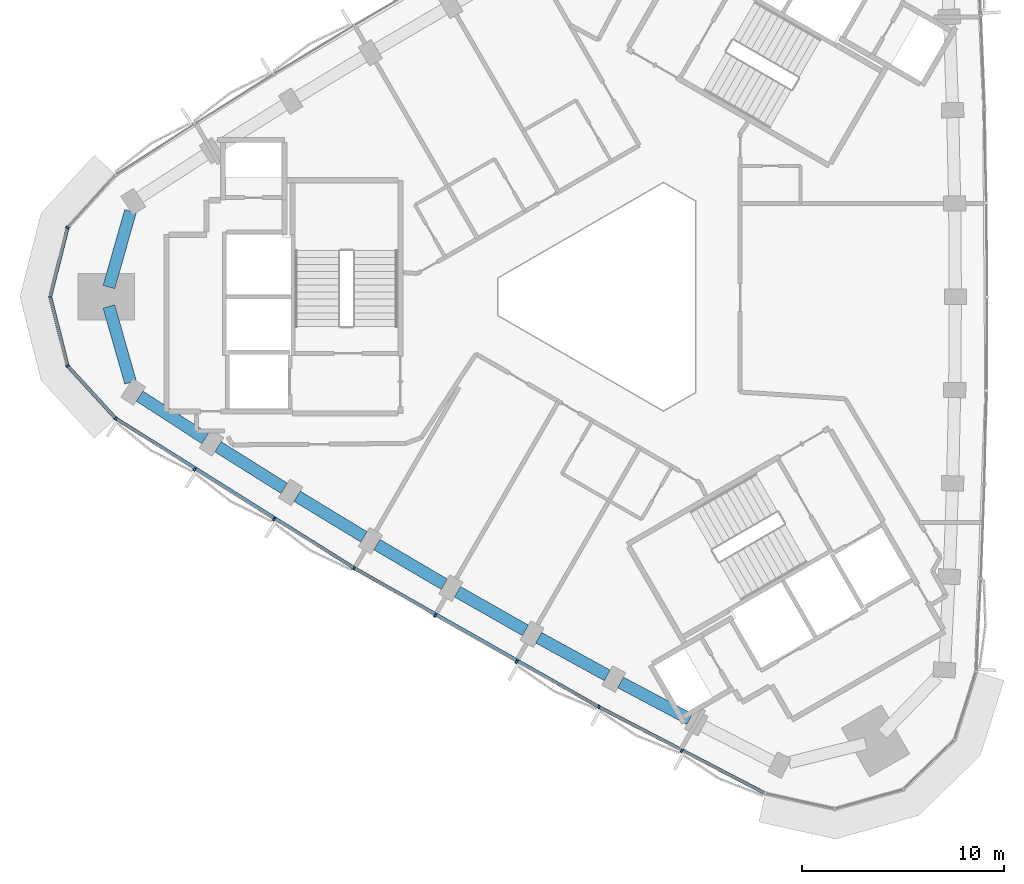
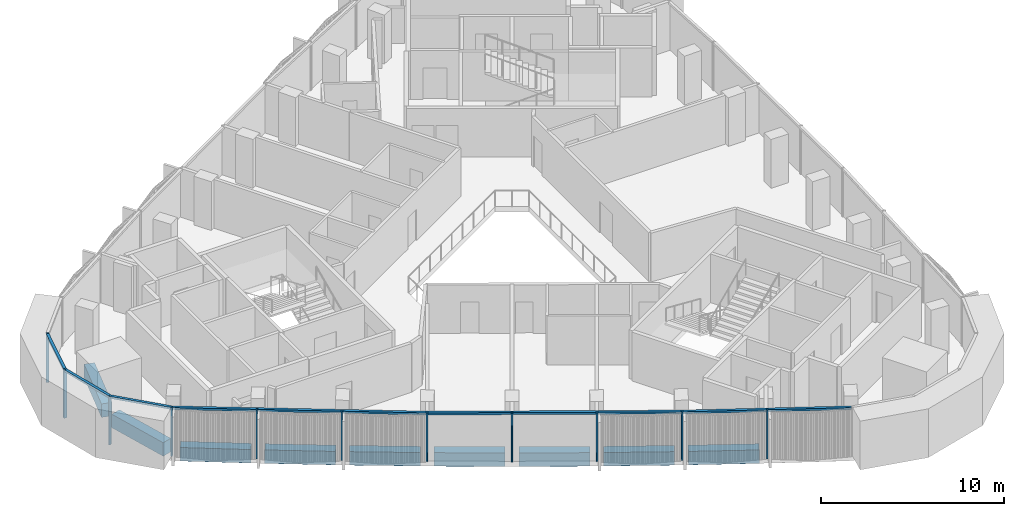
# One storey, part 2 of 14: 17 members, 9 beams, 2 elements without a shape of their own.
"""IFC4 building model written with IfcOpenShell, lengths in metres."""

from ifc_helpers import new_model, si_unit, direction, frame, origin, origin_2d, place, context, subcontext, project, spatial, rectangle, extrude, material, material_profile, profile_set, type_object, element, aggregate, save


model = new_model("IFC4")

# Units and contexts
model_context = context("Model", 3, precision=1e-05, world=origin(), true_north=direction((0.0, 1.0)))
body_context = subcontext(model_context, "Body", "Model", "MODEL_VIEW")
ifc_project = project(units=[si_unit("LENGTHUNIT", "METRE"), si_unit("AREAUNIT", "SQUARE_METRE"), si_unit("VOLUMEUNIT", "CUBIC_METRE"), si_unit("PLANEANGLEUNIT", "RADIAN"), si_unit("MASSUNIT", "GRAM", prefix="KILO")], contexts=[model_context])

# Site, building, storey
site_placement = place(None, origin())
site = spatial("IfcSite", under=ifc_project, at=site_placement, CompositionType="ELEMENT")
building_placement = place(site_placement, origin())
building = spatial("IfcBuilding", under=site, at=building_placement, Name="Tamra Quay Hotel Tower", CompositionType="ELEMENT")
storey_placement = place(building_placement, frame((0.0, 0.0, 228.60009765625)))
storey = spatial("IfcBuildingStorey", under=building, at=storey_placement, Name="L57", CompositionType="ELEMENT", Elevation=228.60009765625)

# Curtain wall, members
ifc_material_1 = material(Name="Aluminium 6063 anodised dark grey", Category="aluminium")
curtain_wall_type_1 = type_object("IfcCurtainWallType", Name="CW2 CURTAIN WALL", PredefinedType="NOTDEFINED", material=ifc_material_1)
curtain_wall_1_placement = place(storey_placement, origin())
curtain_wall_1 = element("IfcCurtainWall", 1, at=curtain_wall_1_placement, inside=storey, type_object=curtain_wall_type_1, Name="CW2 north-west face L57", PredefinedType="NOTDEFINED")
ifc_material_profile_1 = material_profile(ifc_material_1, rectangle(XDim=0.169921875, YDim=0.10009765625, at=origin_2d()), Name="MULLION 100X170")
ifc_profile_set_1 = profile_set([ifc_material_profile_1], Name="Aluminium 6063 anodised dark grey")
member_type_1 = type_object("IfcMemberType", Name="MULLION CW2 Z5", PredefinedType="MULLION", material=ifc_profile_set_1)
member_1_placement = place(storey_placement, frame((-27.329345703125, 3.427734375, 0.0), z_axis=(0.0, 0.0, 1.0), x_axis=(-0.880266804781, 0.474479032624, 0.0)))
member_1 = element("IfcMember", 2, at=member_1_placement, type_object=member_type_1, Name="CW2 mullion L57.NW.10", PredefinedType="MULLION", context=body_context, shape_type="SweptSolid", body=[
    extrude(rectangle(XDim=0.169921875, YDim=0.10009765625, at=origin_2d()), origin(), (0.0, 0.0, 1.0), 3.25),
])
member_2_placement = place(storey_placement, frame((-28.1943359375, 0.0, 0.0), z_axis=(0.0, 0.0, 1.0), x_axis=(-1.0, 0.0, 0.0)))
member_2 = element("IfcMember", 3, at=member_2_placement, type_object=member_type_1, Name="CW2 mullion L57.NW.11", PredefinedType="MULLION", context=body_context, shape_type="SweptSolid", body=[
    extrude(rectangle(XDim=0.169921875, YDim=0.10009765625, at=origin_2d()), origin(), (0.0, 0.0, 1.0), 3.25),
])
member_3_placement = place(storey_placement, frame((-27.329345703125, -3.427734375, 0.0), z_axis=(0.0, 0.0, 1.0), x_axis=(-0.880266804781, -0.474479032624, 0.0)))
member_3 = element("IfcMember", 4, at=member_3_placement, type_object=member_type_1, Name="CW2 mullion L57.NW.12", PredefinedType="MULLION", context=body_context, shape_type="SweptSolid", body=[
    extrude(rectangle(XDim=0.169921875, YDim=0.10009765625, at=origin_2d()), origin(), (0.0, 0.0, 1.0), 3.25),
])

curtain_wall_type_2 = type_object("IfcCurtainWallType", Name="CW3 CURTAIN WALL", PredefinedType="NOTDEFINED", material=ifc_material_1)
curtain_wall_2_placement = place(storey_placement, origin())
curtain_wall_2 = element("IfcCurtainWall", 5, at=curtain_wall_2_placement, inside=storey, type_object=curtain_wall_type_2, Name="CW3 south-west face L57", PredefinedType="NOTDEFINED")
ifc_material_profile_2 = material_profile(ifc_material_1, rectangle(XDim=0.169921875, YDim=0.10009765625, at=origin_2d()), Name="MULLION 100X170")
ifc_profile_set_2 = profile_set([ifc_material_profile_2], Name="Aluminium 6063 anodised dark grey")
member_type_2 = type_object("IfcMemberType", Name="MULLION CW3 Z5", PredefinedType="MULLION", material=ifc_profile_set_2)
member_4_placement = place(storey_placement, frame((-24.941650390625, -6.034423828125, 0.0), z_axis=(0.0, 0.0, 1.0), x_axis=(-0.645846473255, -0.763467309702, 0.0)))
member_4 = element("IfcMember", 6, at=member_4_placement, type_object=member_type_2, Name="CW3 mullion L57.SW.1", PredefinedType="MULLION", context=body_context, shape_type="SweptSolid", body=[
    extrude(rectangle(XDim=0.169921875, YDim=0.10009765625, at=origin_2d()), origin(), (0.0, 0.0, 1.0), 3.25),
])
member_5_placement = place(storey_placement, frame((-21.041015625, -8.5625, 0.0), z_axis=(0.0, 0.0, 1.0), x_axis=(-0.537684349575, -0.84314621521, 0.0)))
member_5 = element("IfcMember", 7, at=member_5_placement, type_object=member_type_2, Name="CW3 mullion L57.SW.2", PredefinedType="MULLION", context=body_context, shape_type="SweptSolid", body=[
    extrude(rectangle(XDim=0.169921875, YDim=0.10009765625, at=origin_2d()), origin(), (0.0, 0.0, 1.0), 3.25),
])
member_6_placement = place(storey_placement, frame((-17.103271484375, -11.033203125, 0.0), z_axis=(0.0, 0.0, 1.0), x_axis=(-0.525248894611, -0.850948646341, 0.0)))
member_6 = element("IfcMember", 8, at=member_6_placement, type_object=member_type_2, Name="CW3 mullion L57.SW.3", PredefinedType="MULLION", context=body_context, shape_type="SweptSolid", body=[
    extrude(rectangle(XDim=0.169921875, YDim=0.10009765625, at=origin_2d()), origin(), (0.0, 0.0, 1.0), 3.25),
])
member_7_placement = place(storey_placement, frame((-13.13037109375, -13.4453125, 0.0), z_axis=(0.0, 0.0, 1.0), x_axis=(-0.512687492758, -0.858575293594, 0.0)))
member_7 = element("IfcMember", 9, at=member_7_placement, type_object=member_type_2, Name="CW3 mullion L57.SW.4", PredefinedType="MULLION", context=body_context, shape_type="SweptSolid", body=[
    extrude(rectangle(XDim=0.169921875, YDim=0.10009765625, at=origin_2d()), origin(), (0.0, 0.0, 1.0), 3.25),
])
member_8_placement = place(storey_placement, frame((-9.12158203125, -15.79931640625, 0.0), z_axis=(0.0, 0.0, 1.0), x_axis=(-0.5, -0.866025403784, 0.0)))
member_8 = element("IfcMember", 10, at=member_8_placement, type_object=member_type_2, Name="CW3 mullion L57.SW.5", PredefinedType="MULLION", context=body_context, shape_type="SweptSolid", body=[
    extrude(rectangle(XDim=0.169921875, YDim=0.10009765625, at=origin_2d()), origin(), (0.0, 0.0, 1.0), 3.25),
])
member_9_placement = place(storey_placement, frame((-5.078857421875, -18.093994140625, 0.0), z_axis=(0.0, 0.0, 1.0), x_axis=(-0.487204268935, -0.873288039728, 0.0)))
member_9 = element("IfcMember", 11, at=member_9_placement, type_object=member_type_2, Name="CW3 mullion L57.SW.6", PredefinedType="MULLION", context=body_context, shape_type="SweptSolid", body=[
    extrude(rectangle(XDim=0.169921875, YDim=0.10009765625, at=origin_2d()), origin(), (0.0, 0.0, 1.0), 3.25),
])
member_10_placement = place(storey_placement, frame((-1.00341796875, -20.328369140625, 0.0), z_axis=(0.0, 0.0, 1.0), x_axis=(-0.474318697742, -0.880353209213, 0.0)))
member_10 = element("IfcMember", 12, at=member_10_placement, type_object=member_type_2, Name="CW3 mullion L57.SW.7", PredefinedType="MULLION", context=body_context, shape_type="SweptSolid", body=[
    extrude(rectangle(XDim=0.169921875, YDim=0.10009765625, at=origin_2d()), origin(), (0.0, 0.0, 1.0), 3.25),
])
member_11_placement = place(storey_placement, frame((3.105224609375, -22.503173828125, 0.0), z_axis=(0.0, 0.0, 1.0), x_axis=(-0.461343866689, -0.887221413554, 0.0)))
member_11 = element("IfcMember", 13, at=member_11_placement, type_object=member_type_2, Name="CW3 mullion L57.SW.8", PredefinedType="MULLION", context=body_context, shape_type="SweptSolid", body=[
    extrude(rectangle(XDim=0.169921875, YDim=0.10009765625, at=origin_2d()), origin(), (0.0, 0.0, 1.0), 3.25),
])

# Beams
ifc_material_2 = material(Name="Concrete M60", Category="concrete")
ifc_material_profile_3 = material_profile(ifc_material_2, rectangle(XDim=0.60009765625, YDim=0.89990234375, at=origin_2d()), Name="SPANDREL BEAM RC 600x900")
ifc_profile_set_3 = profile_set([ifc_material_profile_3], Name="Concrete M60")
beam_type = type_object("IfcBeamType", Name="SPANDREL BEAM RC 600x900", PredefinedType="SPANDREL", material=ifc_profile_set_3)
for number, where, z_axis, x_axis, name in (
    (14, (-24.2119140625, 4.24365234375, -0.800048828125), (-0.273913429616, -0.961754351732, 0.0), (0.961754351732, -0.273913429616, 0.0), "BM-SP5-018-L57"),
    (15, (-25.28369140625, -0.48046875, -0.800048828125), (0.273913429616, -0.961754351732, 0.0), (0.961754351732, 0.273913429616, 0.0), "BM-SP5-019-L57"),
):
    element("IfcBeam", number, at=place(storey_placement, frame(where, z_axis=z_axis, x_axis=x_axis)), inside=storey, type_object=beam_type, Name=name, PredefinedType="SPANDREL", context=body_context, shape_type="SweptSolid", body=[
        extrude(rectangle(XDim=0.60009765625, YDim=0.89990234375, at=origin_2d()), origin(), (0.0, 0.0, 1.0), 3.912841796875),
    ])
beam_1_placement = place(storey_placement, frame((-23.76171875, -4.923583984375, -0.800048828125), z_axis=(0.839181205466, -0.543851914029, 0.0), x_axis=(0.543851914029, 0.839181205466, 0.0)))
element("IfcBeam", 16, at=beam_1_placement, inside=storey, type_object=beam_type, Name="BM-SP5-020-L57", PredefinedType="SPANDREL", context=body_context, shape_type="SweptSolid", body=[
    extrude(rectangle(XDim=0.60009765625, YDim=0.89990234375, at=origin_2d()), origin(), (0.0, 0.0, 1.0), 3.87548828125),
])
beam_2_placement = place(storey_placement, frame((-19.877197265625, -7.4345703125, -0.800048828125), z_axis=(0.847066119134, -0.53148752555, 0.0), x_axis=(0.53148752555, 0.847066119134, 0.0)))
element("IfcBeam", 17, at=beam_2_placement, inside=storey, type_object=beam_type, Name="BM-SP5-021-L57", PredefinedType="SPANDREL", context=body_context, shape_type="SweptSolid", body=[
    extrude(rectangle(XDim=0.60009765625, YDim=0.89990234375, at=origin_2d()), origin(), (0.0, 0.0, 1.0), 3.875),
])
beam_3_placement = place(storey_placement, frame((-15.95654296875, -9.887939453125, -0.800048828125), z_axis=(0.854785519234, -0.518981421737, 0.0), x_axis=(0.518981421737, 0.854785519234, 0.0)))
element("IfcBeam", 18, at=beam_3_placement, inside=storey, type_object=beam_type, Name="BM-SP5-022-L57", PredefinedType="SPANDREL", context=body_context, shape_type="SweptSolid", body=[
    extrude(rectangle(XDim=0.60009765625, YDim=0.89990234375, at=origin_2d()), origin(), (0.0, 0.0, 1.0), 3.875732421875),
])
beam_4_placement = place(storey_placement, frame((-11.999755859375, -12.283935546875, -0.800048828125), z_axis=(0.862324287816, -0.506356418585, 0.0), x_axis=(0.506356418585, 0.862324287816, 0.0)))
element("IfcBeam", 19, at=beam_4_placement, inside=storey, type_object=beam_type, Name="BM-SP5-023-L57", PredefinedType="SPANDREL", context=body_context, shape_type="SweptSolid", body=[
    extrude(rectangle(XDim=0.60009765625, YDim=0.89990234375, at=origin_2d()), origin(), (0.0, 0.0, 1.0), 3.875),
])
beam_5_placement = place(storey_placement, frame((-8.008544921875, -14.62109375, -0.800048828125), z_axis=(0.86967787455, -0.493619686113, 0.0), x_axis=(0.493619686113, 0.86967787455, 0.0)))
element("IfcBeam", 20, at=beam_5_placement, inside=storey, type_object=beam_type, Name="BM-SP5-024-L57", PredefinedType="SPANDREL", context=body_context, shape_type="SweptSolid", body=[
    extrude(rectangle(XDim=0.60009765625, YDim=0.89990234375, at=origin_2d()), origin(), (0.0, 0.0, 1.0), 3.875244140625),
])
beam_6_placement = place(storey_placement, frame((-3.9833984375, -16.8994140625, -0.800048828125), z_axis=(0.876838966376, -0.480784179279, 0.0), x_axis=(0.480784179279, 0.876838966376, 0.0)))
element("IfcBeam", 21, at=beam_6_placement, inside=storey, type_object=beam_type, Name="BM-SP5-025-L57", PredefinedType="SPANDREL", context=body_context, shape_type="SweptSolid", body=[
    extrude(rectangle(XDim=0.60009765625, YDim=0.89990234375, at=origin_2d()), origin(), (0.0, 0.0, 1.0), 3.87548828125),
])
beam_7_placement = place(storey_placement, frame((0.0751953125, -19.118408203125, -0.800048828125), z_axis=(0.883803240878, -0.467858772937, 0.0), x_axis=(0.467858772937, 0.883803240878, 0.0)))
element("IfcBeam", 22, at=beam_7_placement, inside=storey, type_object=beam_type, Name="BM-SP5-026-L57", PredefinedType="SPANDREL", context=body_context, shape_type="SweptSolid", body=[
    extrude(rectangle(XDim=0.60009765625, YDim=0.89990234375, at=origin_2d()), origin(), (0.0, 0.0, 1.0), 3.875),
])

# Member
ifc_material_profile_4 = material_profile(ifc_material_1, rectangle(XDim=0.169921875, YDim=0.139892578125, at=origin_2d()), Name="TRANSOM 170X140")
ifc_profile_set_4 = profile_set([ifc_material_profile_4], Name="Aluminium 6063 anodised dark grey")
member_type_3 = type_object("IfcMemberType", Name="TRANSOM CW2 Z5", PredefinedType="USERDEFINED", material=ifc_profile_set_4)
member_12_placement = place(storey_placement, frame((-27.341552734375, 3.379150390625, 3.179931640625), z_axis=(-0.244709055597, -0.969596554299, 0.0), x_axis=(0.969596554299, -0.244709055597, 0.0)))
member_12 = element("IfcMember", 23, at=member_12_placement, type_object=member_type_3, Name="CW2 transom L57.NW.10", ObjectType="TRANSOM", PredefinedType="USERDEFINED", context=body_context, shape_type="SweptSolid", body=[
    extrude(rectangle(XDim=0.169921875, YDim=0.139892578125, at=origin_2d()), origin(), (0.0, 0.0, 1.0), 3.43505859375),
])

member_13_placement = place(storey_placement, frame((-28.18212890625, -0.048583984375, 3.179931640625), z_axis=(0.244709055597, -0.969596554299, 0.0), x_axis=(0.969596554299, 0.244709055597, 0.0)))
member_13 = element("IfcMember", 24, at=member_13_placement, type_object=member_type_3, Name="CW2 transom L57.NW.11", ObjectType="TRANSOM", PredefinedType="USERDEFINED", context=body_context, shape_type="SweptSolid", body=[
    extrude(rectangle(XDim=0.169921875, YDim=0.139892578125, at=origin_2d()), origin(), (0.0, 0.0, 1.0), 3.43505859375),
])

member_14_placement = place(storey_placement, frame((-27.295654296875, -3.464599609375, 3.179931640625), z_axis=(0.675476773907, -0.737381263603, 0.0), x_axis=(0.737381263603, 0.675476773907, 0.0)))
member_14 = element("IfcMember", 25, at=member_14_placement, type_object=member_type_3, Name="CW2 transom L57.NW.12", ObjectType="TRANSOM", PredefinedType="USERDEFINED", context=body_context, shape_type="SweptSolid", body=[
    extrude(rectangle(XDim=0.169921875, YDim=0.139892578125, at=origin_2d()), origin(), (0.0, 0.0, 1.0), 3.43505859375),
])

aggregate(curtain_wall_1, [member_1, member_12, member_2, member_13, member_3, member_14])

ifc_material_profile_5 = material_profile(ifc_material_1, rectangle(XDim=0.169921875, YDim=0.139892578125, at=origin_2d()), Name="TRANSOM 170X140")
ifc_profile_set_5 = profile_set([ifc_material_profile_5], Name="Aluminium 6063 anodised dark grey")
member_type_4 = type_object("IfcMemberType", Name="TRANSOM CW3 Z5", PredefinedType="USERDEFINED", material=ifc_profile_set_5)
member_15_placement = place(storey_placement, frame((-24.899658203125, -6.061767578125, 3.179931640625), z_axis=(0.847069654587, -0.531481890829, 0.0), x_axis=(0.531481890829, 0.847069654587, 0.0)))
member_15 = element("IfcMember", 26, at=member_15_placement, type_object=member_type_4, Name="CW3 transom L57.SW.1", ObjectType="TRANSOM", PredefinedType="USERDEFINED", context=body_context, shape_type="SweptSolid", body=[
    extrude(rectangle(XDim=0.169921875, YDim=0.139892578125, at=origin_2d()), origin(), (0.0, 0.0, 1.0), 13.84375),
])

member_16_placement = place(storey_placement, frame((-13.087158203125, -13.470703125, 3.179931640625), z_axis=(0.869679572469, -0.493616694642, 0.0), x_axis=(0.493616694642, 0.869679572469, 0.0)))
member_16 = element("IfcMember", 27, at=member_16_placement, type_object=member_type_4, Name="CW3 transom L57.SW.4", ObjectType="TRANSOM", PredefinedType="USERDEFINED", context=body_context, shape_type="SweptSolid", body=[
    extrude(rectangle(XDim=0.169921875, YDim=0.139892578125, at=origin_2d()), origin(), (0.0, 0.0, 1.0), 13.84423828125),
])

member_17_placement = place(storey_placement, frame((-0.959228515625, -20.351806640625, 3.179931640625), z_axis=(0.887215931947, -0.461354408345, 0.0), x_axis=(0.461354408345, 0.887215931947, 0.0)))
member_17 = element("IfcMember", 28, at=member_17_placement, type_object=member_type_4, Name="CW3 transom L57.SW.7", ObjectType="TRANSOM", PredefinedType="USERDEFINED", context=body_context, shape_type="SweptSolid", body=[
    extrude(rectangle(XDim=0.169921875, YDim=0.139892578125, at=origin_2d()), origin(), (0.0, 0.0, 1.0), 9.19677734375),
])

aggregate(curtain_wall_2, [member_4, member_15, member_5, member_6, member_7, member_16, member_8, member_9, member_10, member_17, member_11])

save(model, "model.ifc")
